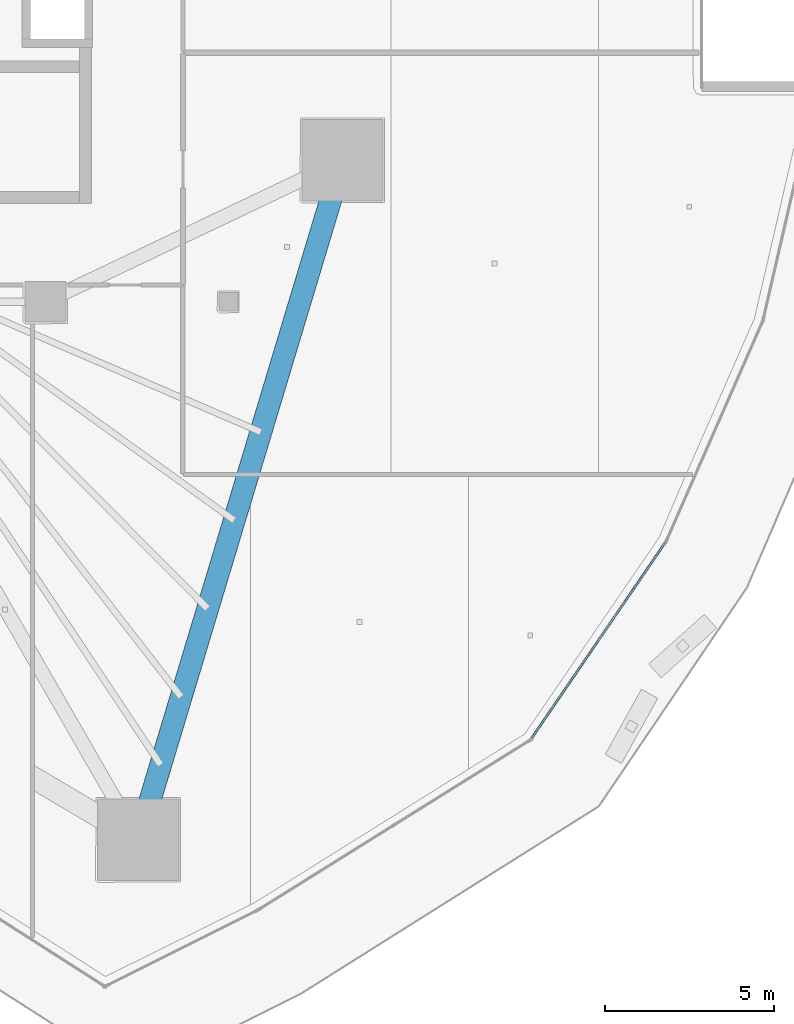
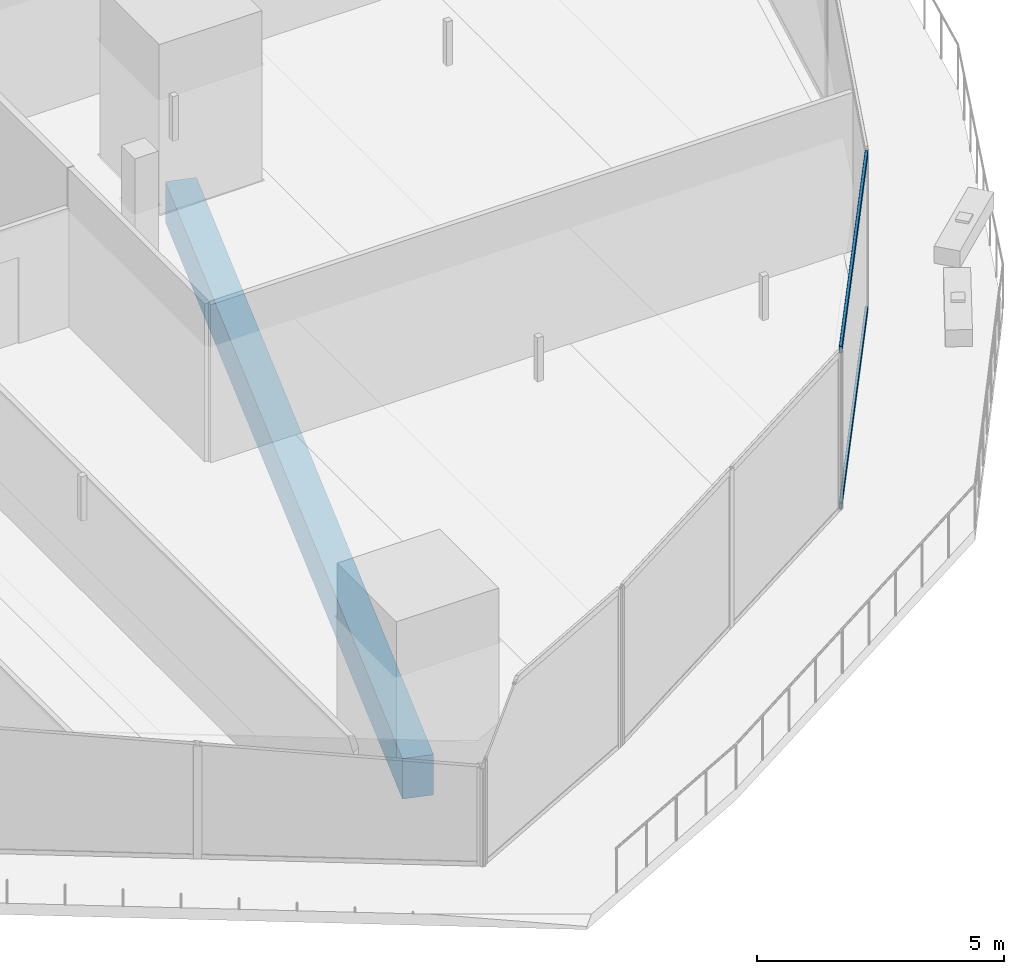
# One storey, part 10 of 45: 2 members, 1 beam, 1 element without a shape of its own.
"""IFC4 building model written with IfcOpenShell, lengths in metres."""

import ifcopenshell
import ifcopenshell.guid

model = None  # the IFC model being written
_history = None  # IfcOwnerHistory: only IFC2X3 demands one
_inside = {}  # id of a spatial element -> (the spatial element, [elements in it])
_under = {}  # id of a project, library or spatial element -> (it, [spatial elements below it])
_declared = {}  # id of a project -> (the project, [libraries it declares])
_typed = {}  # id of a type object -> (the type object, [elements of that type])
_made_of = {}  # id of a material, layer set ... -> (it, [elements and type objects made of it])


def new_model(schema):
    """Start an empty IFC model of exactly this schema.

    Asked for "IFC4X3", IfcOpenShell would pick the latest addendum, in which some entities
    have other attributes; the version numbers below select the first issue.
    IFC2X3 requires an IfcOwnerHistory on every rooted entity: one is made here for all.
    """
    global model, _history
    if schema == "IFC4X3":
        model = ifcopenshell.file(schema_version=(4, 3, 0, 0))
    else:
        model = ifcopenshell.file(schema=schema)
    _inside.clear()
    _under.clear()
    _declared.clear()
    _typed.clear()
    _made_of.clear()
    _history = None
    if model.schema == "IFC2X3":
        org = make("IfcOrganization", Name="unknown")
        user = make(
            "IfcPersonAndOrganization",
            ThePerson=make("IfcPerson", FamilyName="unknown"),
            TheOrganization=org,
        )
        app = make(
            "IfcApplication",
            ApplicationDeveloper=org,
            Version="unknown",
            ApplicationFullName="unknown",
            ApplicationIdentifier="unknown",
        )
        _history = make(
            "IfcOwnerHistory",
            OwningUser=user,
            OwningApplication=app,
            ChangeAction="ADDED",
            CreationDate=0,
        )
    return model


def make(cls, **values):
    """One entity of the class cls with the attributes given. An attribute that is None is left unset."""
    return model.create_entity(
        cls, **{name: value for name, value in values.items() if value is not None}
    )


def rooted(cls, **values):
    """An entity with a GlobalId (a new one), such as an element, a storey or a relation."""
    return make(cls, GlobalId=ifcopenshell.guid.new(), OwnerHistory=_history, **values)


def si_unit(unit_type, name, prefix=None):
    """IfcSIUnit, for example si_unit("LENGTHUNIT", "METRE", prefix="MILLI")."""
    return make("IfcSIUnit", UnitType=unit_type, Prefix=prefix, Name=name)


def assignment(units):
    """IfcUnitAssignment: the units of a project."""
    return None if units is None else make("IfcUnitAssignment", Units=units)


def point(xyz):
    """IfcCartesianPoint."""
    return None if xyz is None else make("IfcCartesianPoint", Coordinates=xyz)


def direction(xyz):
    """IfcDirection."""
    return None if xyz is None else make("IfcDirection", DirectionRatios=xyz)


def frame(location, z_axis=None, x_axis=None):
    """IfcAxis2Placement3D, a coordinate frame: its origin and axes. An axis left out is left unset."""
    return make(
        "IfcAxis2Placement3D",
        Location=point(location),
        Axis=direction(z_axis),
        RefDirection=direction(x_axis),
    )


def frame_2d(location, x_axis=None):
    """IfcAxis2Placement2D, a coordinate frame in the plane: its origin and x axis."""
    return make(
        "IfcAxis2Placement2D", Location=point(location), RefDirection=direction(x_axis)
    )


def origin():
    """The frame at (0, 0, 0) with its axes left unset."""
    return frame((0.0, 0.0, 0.0))


def origin_2d():
    """The frame at (0, 0) in the plane with its x axis left unset."""
    return frame_2d((0.0, 0.0))


def place(relative_to, where):
    """IfcLocalPlacement: puts the frame where relative to a parent placement (None: the world)."""
    return make(
        "IfcLocalPlacement", PlacementRelTo=relative_to, RelativePlacement=where
    )


def context(
    kind, dimensions, precision=None, world=None, true_north=None, identifier=None
):
    """IfcGeometricRepresentationContext, for example the 3D "Model" context."""
    return make(
        "IfcGeometricRepresentationContext",
        ContextIdentifier=identifier,
        ContextType=kind,
        CoordinateSpaceDimension=dimensions,
        Precision=precision,
        WorldCoordinateSystem=world,
        TrueNorth=true_north,
    )


def subcontext(parent, identifier, kind, view, scale=None):
    """IfcGeometricRepresentationSubContext, for example "Body" below "Model"."""
    return make(
        "IfcGeometricRepresentationSubContext",
        ContextIdentifier=identifier,
        ContextType=kind,
        ParentContext=parent,
        TargetScale=scale,
        TargetView=view,
    )


def project(units=None, contexts=None):
    """IfcProject with its units and contexts."""
    return rooted(
        "IfcProject",
        Name="project",
        RepresentationContexts=contexts,
        UnitsInContext=assignment(units),
    )


def spatial(cls, under=None, at=None, **own):
    """A site, building, storey or space (cls), placed at a placement, below another one or the project."""
    s = rooted(cls, ObjectPlacement=at, **own)
    if under is not None:
        _under.setdefault(under.id(), (under, []))[1].append(s)
    return s


def profile(cls, at=None, kind="AREA", **sizes):
    """A parametric profile (cls). Its sizes go by their IFC names, for example OverallWidth=200.0."""
    return make(cls, ProfileType=kind, Position=at, **sizes)


def rectangle(**sizes):
    """IfcRectangleProfileDef."""
    return profile("IfcRectangleProfileDef", **sizes)


def hollow_rectangle(**sizes):
    """IfcRectangleHollowProfileDef."""
    return profile("IfcRectangleHollowProfileDef", **sizes)


def extrude(swept, where, along, depth):
    """IfcExtrudedAreaSolid: the profile swept, set in the frame where, extruded along a direction by depth."""
    return make(
        "IfcExtrudedAreaSolid",
        SweptArea=swept,
        Position=where,
        ExtrudedDirection=direction(along),
        Depth=depth,
    )


def shape(context_of_items, identifier, shape_type, items):
    """IfcShapeRepresentation: the items that make up one representation, for example the "Body"."""
    return make(
        "IfcShapeRepresentation",
        ContextOfItems=context_of_items,
        RepresentationIdentifier=identifier,
        RepresentationType=shape_type,
        Items=items,
    )


def material(Name=None, Category=None):
    """IfcMaterial."""
    return make("IfcMaterial", Name=Name, Category=Category)


def layer(
    of_material, thickness, ventilated=None, Name=None, Category=None, Priority=None
):
    """IfcMaterialLayer: one layer of a wall or slab, of a material (None: an air gap)."""
    return make(
        "IfcMaterialLayer",
        Material=of_material,
        LayerThickness=thickness,
        IsVentilated=ventilated,
        Name=Name,
        Category=Category,
        Priority=Priority,
    )


def layer_set(layers, Name=None):
    """IfcMaterialLayerSet."""
    return make("IfcMaterialLayerSet", MaterialLayers=layers, LayerSetName=Name)


def material_profile(
    of_material, cross_section, Name=None, Category=None, Priority=None
):
    """IfcMaterialProfile: a cross section and its material."""
    return make(
        "IfcMaterialProfile",
        Name=Name,
        Material=of_material,
        Profile=cross_section,
        Priority=Priority,
        Category=Category,
    )


def profile_set(profiles, Name=None, composite=None):
    """IfcMaterialProfileSet."""
    return make(
        "IfcMaterialProfileSet",
        Name=Name,
        MaterialProfiles=profiles,
        CompositeProfile=composite,
    )


def made_of(thing, what):
    """Note that an element or type object is made of a material, layer set ...; save() writes the relation."""
    if what is not None:
        _made_of.setdefault(what.id(), (what, []))[1].append(thing)
    return thing


def type_object(cls, material=None, **own):
    """A type object (cls), such as IfcWallType, which elements share."""
    return made_of(rooted(cls, **own), material)


def element(
    cls,
    number,
    at=None,
    inside=None,
    cuts=None,
    type_object=None,
    material=None,
    context=None,
    identifier="Body",
    shape_type=None,
    held_by="IfcProductDefinitionShape",
    body=None,
    shapes=None,
    **own,
):
    """One element of the class cls, such as IfcWall. Its Tag is "e" and its number.

    at: its placement. inside: the storey or other place that contains it. cuts: it is an
    opening in that element (IfcRelVoidsElement). A single representation is given by context,
    identifier, shape_type and body (its items); several are given by shapes. held_by: the class
    of the entity that holds the representations. save() writes the other relations.
    """
    e = rooted(cls, Tag="e%d" % number, ObjectPlacement=at, **own)
    if body is not None:
        shapes = [shape(context, identifier, shape_type, body)]
    if shapes is not None:
        e.Representation = make(held_by, Representations=shapes)
    if inside is not None:
        _inside.setdefault(inside.id(), (inside, []))[1].append(e)
    if cuts is not None:
        rooted(
            "IfcRelVoidsElement", RelatingBuildingElement=cuts, RelatedOpeningElement=e
        )
    if type_object is not None:
        _typed.setdefault(type_object.id(), (type_object, []))[1].append(e)
    return made_of(e, material)


def aggregate(whole, parts):
    """IfcRelAggregates: a whole, such as a stair, and the parts it consists of."""
    return rooted("IfcRelAggregates", RelatingObject=whole, RelatedObjects=parts)


def save(model, path):
    """Write the relations noted so far, then the file.

    IfcRelAggregates (storeys below a building ...), IfcRelContainedInSpatialStructure (elements
    in a storey), IfcRelDefinesByType, IfcRelAssociatesMaterial and IfcRelDeclares: one each for
    every whole, place, type object, material and project.
    """
    for whole, parts in _under.values():
        aggregate(whole, parts)
    for where, things in _inside.values():
        rooted(
            "IfcRelContainedInSpatialStructure",
            RelatedElements=things,
            RelatingStructure=where,
        )
    for kind, things in _typed.values():
        rooted("IfcRelDefinesByType", RelatedObjects=things, RelatingType=kind)
    for what, things in _made_of.values():
        rooted("IfcRelAssociatesMaterial", RelatedObjects=things, RelatingMaterial=what)
    for by, libraries in _declared.values():
        rooted("IfcRelDeclares", RelatingContext=by, RelatedDefinitions=libraries)
    model.write(path)


model = new_model("IFC4")

# Units and contexts
model_context = context("Model", 3, precision=1e-05, world=origin(), true_north=direction((0.0, 1.0)))
body_context = subcontext(model_context, "Body", "Model", "MODEL_VIEW")
ifc_project = project(units=[si_unit("LENGTHUNIT", "METRE"), si_unit("AREAUNIT", "SQUARE_METRE"), si_unit("VOLUMEUNIT", "CUBIC_METRE"), si_unit("PLANEANGLEUNIT", "RADIAN"), si_unit("MASSUNIT", "GRAM", prefix="KILO")], contexts=[model_context])

# Site, building, storey
site_placement = place(None, origin())
site = spatial("IfcSite", under=ifc_project, at=site_placement, CompositionType="ELEMENT")
building_placement = place(site_placement, origin())
building = spatial("IfcBuilding", under=site, at=building_placement, Name="Qorvath Tower", CompositionType="ELEMENT")
storey_placement = place(building_placement, frame((0.0, 0.0, 91.199951171875)))
storey = spatial("IfcBuildingStorey", under=building, at=storey_placement, Name="L20", CompositionType="ELEMENT", Elevation=91.199951171875)

# Beam
ifc_material_1 = material(Name="Concrete C50/60", Category="concrete")
ifc_material_profile_1 = material_profile(ifc_material_1, rectangle(XDim=0.64990234375, YDim=1.0, at=origin_2d()), Name="RCB 1000x650")
ifc_profile_set_1 = profile_set([ifc_material_profile_1], Name="Concrete C50/60")
beam_type = type_object("IfcBeamType", Name="BM-RCB1", PredefinedType="SPANDREL", material=ifc_profile_set_1)
beam_placement = place(storey_placement, frame((-14.46435546875, -27.330810546875, -0.780029296875), z_axis=(0.288118908799, 0.957594639914, 0.0), x_axis=(-0.957594639914, 0.288118908799, 0.0)))
element("IfcBeam", 1, at=beam_placement, inside=storey, type_object=beam_type, Name="Perimeter Loggia Frame Beam MC3-MC4 L20", PredefinedType="SPANDREL", context=body_context, shape_type="SweptSolid", body=[
    extrude(rectangle(XDim=0.64990234375, YDim=1.0, at=origin_2d()), origin(), (0.0, 0.0, 1.0), 20.942626953125),
])

# Curtain wall, members
ifc_material_2 = material(Name="Anodised aluminium and triple low-E glass", Category="aluminium")
ifc_layer = layer(ifc_material_2, 0.179931640625)
ifc_layer_set = layer_set([ifc_layer], Name="CW-SYS-2")
curtain_wall_type = type_object("IfcCurtainWallType", Name="CW-SYS-2", PredefinedType="NOTDEFINED", material=ifc_layer_set)
curtain_wall_placement = place(storey_placement, origin())
curtain_wall = element("IfcCurtainWall", 2, at=curtain_wall_placement, inside=storey, type_object=curtain_wall_type, Name="Curtain Wall CW-2 CW-T-L20-5.1", PredefinedType="NOTDEFINED")
ifc_material_3 = material(Name="Anodised aluminium 6063-T6", Category="aluminium")
ifc_material_profile_2 = material_profile(ifc_material_3, hollow_rectangle(XDim=0.06494140625, YDim=0.159912109375, WallThickness=0.00341796875, InnerFilletRadius=0.00341796875, OuterFilletRadius=0.007080078125, at=origin_2d()), Name="CWT 160x65")
ifc_profile_set_2 = profile_set([ifc_material_profile_2], Name="Anodised aluminium 6063-T6")
member_type = type_object("IfcMemberType", Name="CWT-160", PredefinedType="USERDEFINED", material=ifc_profile_set_2)
member_1_placement = place(storey_placement, frame((-2.845458984375, -24.326904296875, 0.032470703125), z_axis=(0.56406593175, 0.825729752788, 0.0), x_axis=(-0.825729752788, 0.56406593175, 0.0)))
member_1 = element("IfcMember", 3, at=member_1_placement, type_object=member_type, Name="CW-2 transom 1.1", ObjectType="TRANSOM", PredefinedType="USERDEFINED", context=body_context, shape_type="SweptSolid", body=[
    extrude(hollow_rectangle(XDim=0.06494140625, YDim=0.159912109375, WallThickness=0.00341796875, InnerFilletRadius=0.00341796875, OuterFilletRadius=0.007080078125, at=origin_2d()), origin(), (0.0, 0.0, 1.0), 6.9697265625),
])
member_2_placement = place(storey_placement, frame((-2.845458984375, -24.326904296875, 3.8876953125), z_axis=(0.56406593175, 0.825729752788, 0.0), x_axis=(-0.825729752788, 0.56406593175, 0.0)))
member_2 = element("IfcMember", 4, at=member_2_placement, type_object=member_type, Name="CW-2 transom 1.2", ObjectType="TRANSOM", PredefinedType="USERDEFINED", context=body_context, shape_type="SweptSolid", body=[
    extrude(hollow_rectangle(XDim=0.06494140625, YDim=0.159912109375, WallThickness=0.00341796875, InnerFilletRadius=0.00341796875, OuterFilletRadius=0.007080078125, at=origin_2d()), origin(), (0.0, 0.0, 1.0), 6.9697265625),
])
aggregate(curtain_wall, [member_1, member_2])

save(model, "model.ifc")
